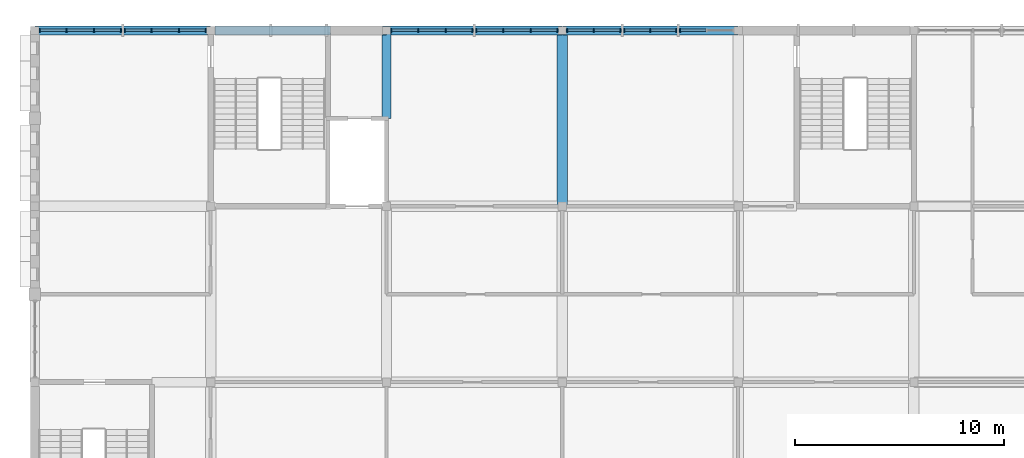
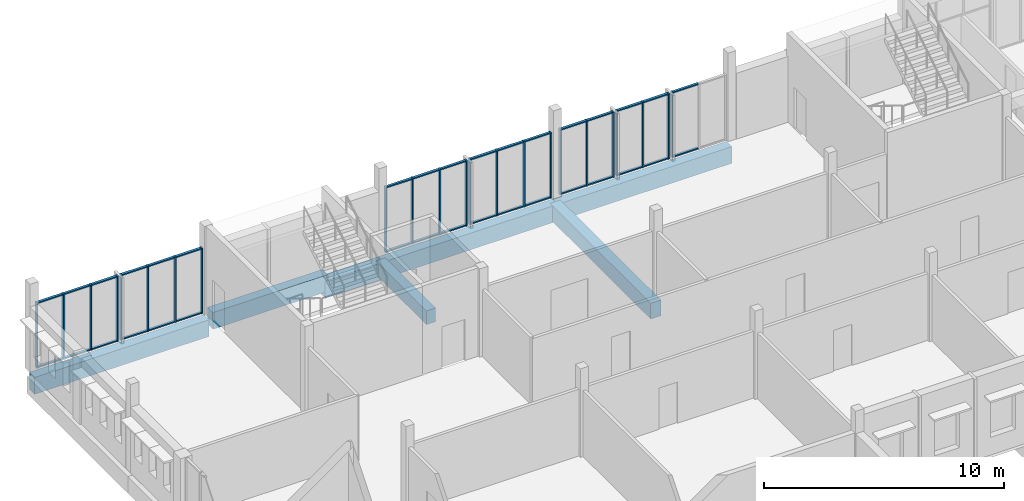
# One storey, part 10 of 22: 57 members, 7 beams, 7 elements without a shape of their own.
"""IFC4 building model written with IfcOpenShell, lengths in metres."""

import ifcopenshell
import ifcopenshell.guid

model = None  # the IFC model being written
_history = None  # IfcOwnerHistory: only IFC2X3 demands one
_inside = {}  # id of a spatial element -> (the spatial element, [elements in it])
_under = {}  # id of a project, library or spatial element -> (it, [spatial elements below it])
_declared = {}  # id of a project -> (the project, [libraries it declares])
_typed = {}  # id of a type object -> (the type object, [elements of that type])
_made_of = {}  # id of a material, layer set ... -> (it, [elements and type objects made of it])


def new_model(schema):
    """Start an empty IFC model of exactly this schema.

    Asked for "IFC4X3", IfcOpenShell would pick the latest addendum, in which some entities
    have other attributes; the version numbers below select the first issue.
    IFC2X3 requires an IfcOwnerHistory on every rooted entity: one is made here for all.
    """
    global model, _history
    if schema == "IFC4X3":
        model = ifcopenshell.file(schema_version=(4, 3, 0, 0))
    else:
        model = ifcopenshell.file(schema=schema)
    _inside.clear()
    _under.clear()
    _declared.clear()
    _typed.clear()
    _made_of.clear()
    _history = None
    if model.schema == "IFC2X3":
        org = make("IfcOrganization", Name="unknown")
        user = make(
            "IfcPersonAndOrganization",
            ThePerson=make("IfcPerson", FamilyName="unknown"),
            TheOrganization=org,
        )
        app = make(
            "IfcApplication",
            ApplicationDeveloper=org,
            Version="unknown",
            ApplicationFullName="unknown",
            ApplicationIdentifier="unknown",
        )
        _history = make(
            "IfcOwnerHistory",
            OwningUser=user,
            OwningApplication=app,
            ChangeAction="ADDED",
            CreationDate=0,
        )
    return model


def make(cls, **values):
    """One entity of the class cls with the attributes given. An attribute that is None is left unset."""
    return model.create_entity(
        cls, **{name: value for name, value in values.items() if value is not None}
    )


def rooted(cls, **values):
    """An entity with a GlobalId (a new one), such as an element, a storey or a relation."""
    return make(cls, GlobalId=ifcopenshell.guid.new(), OwnerHistory=_history, **values)


def si_unit(unit_type, name, prefix=None):
    """IfcSIUnit, for example si_unit("LENGTHUNIT", "METRE", prefix="MILLI")."""
    return make("IfcSIUnit", UnitType=unit_type, Prefix=prefix, Name=name)


def assignment(units):
    """IfcUnitAssignment: the units of a project."""
    return None if units is None else make("IfcUnitAssignment", Units=units)


def point(xyz):
    """IfcCartesianPoint."""
    return None if xyz is None else make("IfcCartesianPoint", Coordinates=xyz)


def direction(xyz):
    """IfcDirection."""
    return None if xyz is None else make("IfcDirection", DirectionRatios=xyz)


def frame(location, z_axis=None, x_axis=None):
    """IfcAxis2Placement3D, a coordinate frame: its origin and axes. An axis left out is left unset."""
    return make(
        "IfcAxis2Placement3D",
        Location=point(location),
        Axis=direction(z_axis),
        RefDirection=direction(x_axis),
    )


def frame_2d(location, x_axis=None):
    """IfcAxis2Placement2D, a coordinate frame in the plane: its origin and x axis."""
    return make(
        "IfcAxis2Placement2D", Location=point(location), RefDirection=direction(x_axis)
    )


def origin():
    """The frame at (0, 0, 0) with its axes left unset."""
    return frame((0.0, 0.0, 0.0))


def origin_2d():
    """The frame at (0, 0) in the plane with its x axis left unset."""
    return frame_2d((0.0, 0.0))


def place(relative_to, where):
    """IfcLocalPlacement: puts the frame where relative to a parent placement (None: the world)."""
    return make(
        "IfcLocalPlacement", PlacementRelTo=relative_to, RelativePlacement=where
    )


def context(
    kind, dimensions, precision=None, world=None, true_north=None, identifier=None
):
    """IfcGeometricRepresentationContext, for example the 3D "Model" context."""
    return make(
        "IfcGeometricRepresentationContext",
        ContextIdentifier=identifier,
        ContextType=kind,
        CoordinateSpaceDimension=dimensions,
        Precision=precision,
        WorldCoordinateSystem=world,
        TrueNorth=true_north,
    )


def subcontext(parent, identifier, kind, view, scale=None):
    """IfcGeometricRepresentationSubContext, for example "Body" below "Model"."""
    return make(
        "IfcGeometricRepresentationSubContext",
        ContextIdentifier=identifier,
        ContextType=kind,
        ParentContext=parent,
        TargetScale=scale,
        TargetView=view,
    )


def project(units=None, contexts=None):
    """IfcProject with its units and contexts."""
    return rooted(
        "IfcProject",
        Name="project",
        RepresentationContexts=contexts,
        UnitsInContext=assignment(units),
    )


def spatial(cls, under=None, at=None, **own):
    """A site, building, storey or space (cls), placed at a placement, below another one or the project."""
    s = rooted(cls, ObjectPlacement=at, **own)
    if under is not None:
        _under.setdefault(under.id(), (under, []))[1].append(s)
    return s


def profile(cls, at=None, kind="AREA", **sizes):
    """A parametric profile (cls). Its sizes go by their IFC names, for example OverallWidth=200.0."""
    return make(cls, ProfileType=kind, Position=at, **sizes)


def rectangle(**sizes):
    """IfcRectangleProfileDef."""
    return profile("IfcRectangleProfileDef", **sizes)


def extrude(swept, where, along, depth):
    """IfcExtrudedAreaSolid: the profile swept, set in the frame where, extruded along a direction by depth."""
    return make(
        "IfcExtrudedAreaSolid",
        SweptArea=swept,
        Position=where,
        ExtrudedDirection=direction(along),
        Depth=depth,
    )


def shape(context_of_items, identifier, shape_type, items):
    """IfcShapeRepresentation: the items that make up one representation, for example the "Body"."""
    return make(
        "IfcShapeRepresentation",
        ContextOfItems=context_of_items,
        RepresentationIdentifier=identifier,
        RepresentationType=shape_type,
        Items=items,
    )


def material(Name=None, Category=None):
    """IfcMaterial."""
    return make("IfcMaterial", Name=Name, Category=Category)


def material_profile(
    of_material, cross_section, Name=None, Category=None, Priority=None
):
    """IfcMaterialProfile: a cross section and its material."""
    return make(
        "IfcMaterialProfile",
        Name=Name,
        Material=of_material,
        Profile=cross_section,
        Priority=Priority,
        Category=Category,
    )


def profile_set(profiles, Name=None, composite=None):
    """IfcMaterialProfileSet."""
    return make(
        "IfcMaterialProfileSet",
        Name=Name,
        MaterialProfiles=profiles,
        CompositeProfile=composite,
    )


def made_of(thing, what):
    """Note that an element or type object is made of a material, layer set ...; save() writes the relation."""
    if what is not None:
        _made_of.setdefault(what.id(), (what, []))[1].append(thing)
    return thing


def type_object(cls, material=None, **own):
    """A type object (cls), such as IfcWallType, which elements share."""
    return made_of(rooted(cls, **own), material)


def element(
    cls,
    number,
    at=None,
    inside=None,
    cuts=None,
    type_object=None,
    material=None,
    context=None,
    identifier="Body",
    shape_type=None,
    held_by="IfcProductDefinitionShape",
    body=None,
    shapes=None,
    **own,
):
    """One element of the class cls, such as IfcWall. Its Tag is "e" and its number.

    at: its placement. inside: the storey or other place that contains it. cuts: it is an
    opening in that element (IfcRelVoidsElement). A single representation is given by context,
    identifier, shape_type and body (its items); several are given by shapes. held_by: the class
    of the entity that holds the representations. save() writes the other relations.
    """
    e = rooted(cls, Tag="e%d" % number, ObjectPlacement=at, **own)
    if body is not None:
        shapes = [shape(context, identifier, shape_type, body)]
    if shapes is not None:
        e.Representation = make(held_by, Representations=shapes)
    if inside is not None:
        _inside.setdefault(inside.id(), (inside, []))[1].append(e)
    if cuts is not None:
        rooted(
            "IfcRelVoidsElement", RelatingBuildingElement=cuts, RelatedOpeningElement=e
        )
    if type_object is not None:
        _typed.setdefault(type_object.id(), (type_object, []))[1].append(e)
    return made_of(e, material)


def aggregate(whole, parts):
    """IfcRelAggregates: a whole, such as a stair, and the parts it consists of."""
    return rooted("IfcRelAggregates", RelatingObject=whole, RelatedObjects=parts)


def save(model, path):
    """Write the relations noted so far, then the file.

    IfcRelAggregates (storeys below a building ...), IfcRelContainedInSpatialStructure (elements
    in a storey), IfcRelDefinesByType, IfcRelAssociatesMaterial and IfcRelDeclares: one each for
    every whole, place, type object, material and project.
    """
    for whole, parts in _under.values():
        aggregate(whole, parts)
    for where, things in _inside.values():
        rooted(
            "IfcRelContainedInSpatialStructure",
            RelatedElements=things,
            RelatingStructure=where,
        )
    for kind, things in _typed.values():
        rooted("IfcRelDefinesByType", RelatedObjects=things, RelatingType=kind)
    for what, things in _made_of.values():
        rooted("IfcRelAssociatesMaterial", RelatedObjects=things, RelatingMaterial=what)
    for by, libraries in _declared.values():
        rooted("IfcRelDeclares", RelatingContext=by, RelatedDefinitions=libraries)
    model.write(path)


model = new_model("IFC4")

# Units and contexts
model_context = context("Model", 3, precision=1e-05, world=origin(), true_north=direction((0.0, 1.0)))
body_context = subcontext(model_context, "Body", "Model", "MODEL_VIEW")
ifc_project = project(units=[si_unit("LENGTHUNIT", "METRE"), si_unit("AREAUNIT", "SQUARE_METRE"), si_unit("VOLUMEUNIT", "CUBIC_METRE"), si_unit("PLANEANGLEUNIT", "RADIAN"), si_unit("MASSUNIT", "GRAM", prefix="KILO")], contexts=[model_context])

# Site, building, storey
site_placement = place(None, origin())
site = spatial("IfcSite", under=ifc_project, at=site_placement, CompositionType="ELEMENT")
building_placement = place(site_placement, origin())
building = spatial("IfcBuilding", under=site, at=building_placement, Name="Fescue Hill Polytechnic", CompositionType="ELEMENT")
storey_placement = place(building_placement, frame((0.0, 0.0, 27.0)))
storey = spatial("IfcBuildingStorey", under=building, at=storey_placement, Name="L06", CompositionType="ELEMENT", Elevation=27.0)

# Beams
ifc_material_1 = material(Name="Concrete 35 MPa", Category="concrete")
ifc_material_profile_1 = material_profile(ifc_material_1, rectangle(XDim=0.449951171875, YDim=0.699951171875, at=origin_2d()), Name="RC 450x700")
ifc_profile_set_1 = profile_set([ifc_material_profile_1], Name="Concrete 35 MPa")
beam_type_1 = type_object("IfcBeamType", Name="Beam RC 450x700", PredefinedType="BEAM", material=ifc_profile_set_1)
beam_1_placement = place(storey_placement, frame((16.800048828125, 130.199951171875, -0.64990234375), z_axis=(0.0, 1.0, 0.0), x_axis=(-1.0, 0.0, 0.0)))
element("IfcBeam", 1, at=beam_1_placement, inside=storey, type_object=beam_type_1, Name="BM-L06-0042", PredefinedType="BEAM", context=body_context, shape_type="SweptSolid", body=[
    extrude(rectangle(XDim=0.449951171875, YDim=0.699951171875, at=origin_2d()), origin(), (0.0, 0.0, 1.0), 4.199951171875),
])
ifc_material_profile_2 = material_profile(ifc_material_1, rectangle(XDim=0.449951171875, YDim=0.85009765625, at=origin_2d()), Name="RC 450x850")
ifc_profile_set_2 = profile_set([ifc_material_profile_2], Name="Concrete 35 MPa")
beam_type_2 = type_object("IfcBeamType", Name="Beam RC 450x850", PredefinedType="BEAM", material=ifc_profile_set_2)
beam_2_placement = place(storey_placement, frame((0.010009765625, 134.39990234375, -0.72509765625), z_axis=(1.0, 0.0, 0.0), x_axis=(0.0, 1.0, 0.0)))
element("IfcBeam", 2, at=beam_2_placement, inside=storey, type_object=beam_type_2, Name="BM-L06-0013", PredefinedType="BEAM", context=body_context, shape_type="SweptSolid", body=[
    extrude(rectangle(XDim=0.449951171875, YDim=0.85009765625, at=origin_2d()), origin(), (0.0, 0.0, 1.0), 8.389892578125),
])
beam_3_placement = place(storey_placement, frame((14.0, 134.39990234375, -0.72509765625), z_axis=(1.0, 0.0, 0.0), x_axis=(0.0, 1.0, 0.0)))
element("IfcBeam", 3, at=beam_3_placement, inside=storey, type_object=beam_type_2, Name="BM-L06-0031", PredefinedType="BEAM", context=body_context, shape_type="SweptSolid", body=[
    extrude(rectangle(XDim=0.449951171875, YDim=0.85009765625, at=origin_2d()), origin(), (0.0, 0.0, 1.0), 2.7900390625),
])
beam_4_placement = place(storey_placement, frame((16.81005859375, 134.39990234375, -0.72509765625), z_axis=(1.0, 0.0, 0.0), x_axis=(0.0, 1.0, 0.0)))
element("IfcBeam", 4, at=beam_4_placement, inside=storey, type_object=beam_type_2, Name="BM-L06-0050", PredefinedType="BEAM", context=body_context, shape_type="SweptSolid", body=[
    extrude(rectangle(XDim=0.449951171875, YDim=0.85009765625, at=origin_2d()), origin(), (0.0, 0.0, 1.0), 8.3798828125),
])
beam_5_placement = place(storey_placement, frame((25.2099609375, 134.39990234375, -0.72509765625), z_axis=(1.0, 0.0, 0.0), x_axis=(0.0, 1.0, 0.0)))
element("IfcBeam", 5, at=beam_5_placement, inside=storey, type_object=beam_type_2, Name="BM-L06-0060", PredefinedType="BEAM", context=body_context, shape_type="SweptSolid", body=[
    extrude(rectangle(XDim=0.449951171875, YDim=0.85009765625, at=origin_2d()), origin(), (0.0, 0.0, 1.0), 8.380126953125),
])
beam_6_placement = place(storey_placement, frame((8.60009765625, 134.39990234375, -0.425048828125), z_axis=(1.0, 0.0, 0.0), x_axis=(0.0, 1.0, 0.0)))
element("IfcBeam", 6, at=beam_6_placement, inside=storey, type_object=beam_type_2, Name="BM-L06-0080", PredefinedType="BEAM", context=body_context, shape_type="SweptSolid", body=[
    extrude(rectangle(XDim=0.449951171875, YDim=0.85009765625, at=origin_2d()), origin(), (0.0, 0.0, 1.0), 5.52490234375),
])
ifc_material_profile_3 = material_profile(ifc_material_1, rectangle(XDim=0.5, YDim=0.800048828125, at=origin_2d()), Name="RC 500x800")
ifc_profile_set_3 = profile_set([ifc_material_profile_3], Name="Concrete 35 MPa")
beam_type_3 = type_object("IfcBeamType", Name="Beam RC 500x800", PredefinedType="BEAM", material=ifc_profile_set_3)
beam_7_placement = place(storey_placement, frame((25.199951171875, 126.0, -0.699951171875), z_axis=(0.0, 1.0, 0.0), x_axis=(-1.0, 0.0, 0.0)))
element("IfcBeam", 7, at=beam_7_placement, inside=storey, type_object=beam_type_3, Name="BM-L06-0058", PredefinedType="BEAM", context=body_context, shape_type="SweptSolid", body=[
    extrude(rectangle(XDim=0.5, YDim=0.800048828125, at=origin_2d()), origin(), (0.0, 0.0, 1.0), 8.39990234375),
])

# Curtain wall, member
ifc_material_2 = material(Name="Glass", Category="glass")
curtain_wall_type = type_object("IfcCurtainWallType", Name="Curtain wall structural glazing", PredefinedType="NOTDEFINED", material=ifc_material_2)
curtain_wall_1_placement = place(storey_placement, origin())
curtain_wall_1 = element("IfcCurtainWall", 8, at=curtain_wall_1_placement, inside=storey, type_object=curtain_wall_type, Name="CW-L06-V5-2", PredefinedType="NOTDEFINED")
ifc_material_3 = material(Name="Powder-coated aluminium", Category="aluminium")
ifc_material_profile_4 = material_profile(ifc_material_3, rectangle(XDim=0.159912109375, YDim=0.06005859375, at=origin_2d()), Name="Mullion aluminium 60x160")
ifc_profile_set_4 = profile_set([ifc_material_profile_4], Name="Powder-coated aluminium")
member_type_1 = type_object("IfcMemberType", Name="Mullion aluminium 60x160", PredefinedType="MULLION", material=ifc_profile_set_4)
member_1_placement = place(storey_placement, frame((30.8232421875, 134.39990234375, 0.0), z_axis=(0.0, 0.0, 1.0), x_axis=(0.0, -1.0, 0.0)))
member_1 = element("IfcMember", 9, at=member_1_placement, type_object=member_type_1, Name="CW100 mullion 3", PredefinedType="MULLION", context=body_context, shape_type="SweptSolid", body=[
    extrude(rectangle(XDim=0.159912109375, YDim=0.06005859375, at=origin_2d()), origin(), (0.0, 0.0, 1.0), 3.330078125),
])

# Curtain wall, members
curtain_wall_2_placement = place(storey_placement, origin())
curtain_wall_2 = element("IfcCurtainWall", 10, at=curtain_wall_2_placement, inside=storey, type_object=curtain_wall_type, Name="CW-L06-V5-3", PredefinedType="NOTDEFINED")
member_2_placement = place(storey_placement, frame((30.643310546875, 134.39990234375, 0.0), z_axis=(0.0, 0.0, 1.0), x_axis=(0.0, -1.0, 0.0)))
member_2 = element("IfcMember", 11, at=member_2_placement, type_object=member_type_1, Name="CW101 mullion 1", PredefinedType="MULLION", context=body_context, shape_type="SweptSolid", body=[
    extrude(rectangle(XDim=0.159912109375, YDim=0.06005859375, at=origin_2d()), origin(), (0.0, 0.0, 1.0), 3.330078125),
])
member_3_placement = place(storey_placement, frame((29.39990234375, 134.39990234375, 0.0), z_axis=(0.0, 0.0, 1.0), x_axis=(0.0, -1.0, 0.0)))
member_3 = element("IfcMember", 12, at=member_3_placement, type_object=member_type_1, Name="CW101 mullion 2", PredefinedType="MULLION", context=body_context, shape_type="SweptSolid", body=[
    extrude(rectangle(XDim=0.159912109375, YDim=0.06005859375, at=origin_2d()), origin(), (0.0, 0.0, 1.0), 3.330078125),
])
member_4_placement = place(storey_placement, frame((28.15673828125, 134.39990234375, 0.0), z_axis=(0.0, 0.0, 1.0), x_axis=(0.0, -1.0, 0.0)))
member_4 = element("IfcMember", 13, at=member_4_placement, type_object=member_type_1, Name="CW101 mullion 3", PredefinedType="MULLION", context=body_context, shape_type="SweptSolid", body=[
    extrude(rectangle(XDim=0.159912109375, YDim=0.06005859375, at=origin_2d()), origin(), (0.0, 0.0, 1.0), 3.330078125),
])

curtain_wall_3_placement = place(storey_placement, origin())
curtain_wall_3 = element("IfcCurtainWall", 14, at=curtain_wall_3_placement, inside=storey, type_object=curtain_wall_type, Name="CW-L06-V5-4", PredefinedType="NOTDEFINED")
member_5_placement = place(storey_placement, frame((27.976806640625, 134.39990234375, 0.0), z_axis=(0.0, 0.0, 1.0), x_axis=(0.0, -1.0, 0.0)))
member_5 = element("IfcMember", 15, at=member_5_placement, type_object=member_type_1, Name="CW102 mullion 1", PredefinedType="MULLION", context=body_context, shape_type="SweptSolid", body=[
    extrude(rectangle(XDim=0.159912109375, YDim=0.06005859375, at=origin_2d()), origin(), (0.0, 0.0, 1.0), 3.330078125),
])
member_6_placement = place(storey_placement, frame((26.703369140625, 134.39990234375, 0.0), z_axis=(0.0, 0.0, 1.0), x_axis=(0.0, -1.0, 0.0)))
member_6 = element("IfcMember", 16, at=member_6_placement, type_object=member_type_1, Name="CW102 mullion 2", PredefinedType="MULLION", context=body_context, shape_type="SweptSolid", body=[
    extrude(rectangle(XDim=0.159912109375, YDim=0.06005859375, at=origin_2d()), origin(), (0.0, 0.0, 1.0), 3.330078125),
])
member_7_placement = place(storey_placement, frame((25.429931640625, 134.39990234375, 0.0), z_axis=(0.0, 0.0, 1.0), x_axis=(0.0, -1.0, 0.0)))
member_7 = element("IfcMember", 17, at=member_7_placement, type_object=member_type_1, Name="CW102 mullion 3", PredefinedType="MULLION", context=body_context, shape_type="SweptSolid", body=[
    extrude(rectangle(XDim=0.159912109375, YDim=0.06005859375, at=origin_2d()), origin(), (0.0, 0.0, 1.0), 3.330078125),
])

curtain_wall_4_placement = place(storey_placement, origin())
curtain_wall_4 = element("IfcCurtainWall", 18, at=curtain_wall_4_placement, inside=storey, type_object=curtain_wall_type, Name="CW-L06-V5-5", PredefinedType="NOTDEFINED")
member_8_placement = place(storey_placement, frame((24.969970703125, 134.39990234375, 0.0), z_axis=(0.0, 0.0, 1.0), x_axis=(0.0, -1.0, 0.0)))
member_8 = element("IfcMember", 19, at=member_8_placement, type_object=member_type_1, Name="CW103 mullion 1", PredefinedType="MULLION", context=body_context, shape_type="SweptSolid", body=[
    extrude(rectangle(XDim=0.159912109375, YDim=0.06005859375, at=origin_2d()), origin(), (0.0, 0.0, 1.0), 3.330078125),
])
member_9_placement = place(storey_placement, frame((23.686767578125, 134.39990234375, 0.0), z_axis=(0.0, 0.0, 1.0), x_axis=(0.0, -1.0, 0.0)))
member_9 = element("IfcMember", 20, at=member_9_placement, type_object=member_type_1, Name="CW103 mullion 2", PredefinedType="MULLION", context=body_context, shape_type="SweptSolid", body=[
    extrude(rectangle(XDim=0.159912109375, YDim=0.06005859375, at=origin_2d()), origin(), (0.0, 0.0, 1.0), 3.330078125),
])
member_10_placement = place(storey_placement, frame((22.373291015625, 134.39990234375, 0.0), z_axis=(0.0, 0.0, 1.0), x_axis=(0.0, -1.0, 0.0)))
member_10 = element("IfcMember", 21, at=member_10_placement, type_object=member_type_1, Name="CW103 mullion 3", PredefinedType="MULLION", context=body_context, shape_type="SweptSolid", body=[
    extrude(rectangle(XDim=0.159912109375, YDim=0.06005859375, at=origin_2d()), origin(), (0.0, 0.0, 1.0), 3.330078125),
])
member_11_placement = place(storey_placement, frame((21.090087890625, 134.39990234375, 0.0), z_axis=(0.0, 0.0, 1.0), x_axis=(0.0, -1.0, 0.0)))
member_11 = element("IfcMember", 22, at=member_11_placement, type_object=member_type_1, Name="CW103 mullion 4", PredefinedType="MULLION", context=body_context, shape_type="SweptSolid", body=[
    extrude(rectangle(XDim=0.159912109375, YDim=0.06005859375, at=origin_2d()), origin(), (0.0, 0.0, 1.0), 3.330078125),
])

curtain_wall_5_placement = place(storey_placement, origin())
curtain_wall_5 = element("IfcCurtainWall", 23, at=curtain_wall_5_placement, inside=storey, type_object=curtain_wall_type, Name="CW-L06-V5-6", PredefinedType="NOTDEFINED")
member_12_placement = place(storey_placement, frame((20.909912109375, 134.39990234375, 0.0), z_axis=(0.0, 0.0, 1.0), x_axis=(0.0, -1.0, 0.0)))
member_12 = element("IfcMember", 24, at=member_12_placement, type_object=member_type_1, Name="CW104 mullion 1", PredefinedType="MULLION", context=body_context, shape_type="SweptSolid", body=[
    extrude(rectangle(XDim=0.159912109375, YDim=0.06005859375, at=origin_2d()), origin(), (0.0, 0.0, 1.0), 3.330078125),
])
member_13_placement = place(storey_placement, frame((19.626708984375, 134.39990234375, 0.0), z_axis=(0.0, 0.0, 1.0), x_axis=(0.0, -1.0, 0.0)))
member_13 = element("IfcMember", 25, at=member_13_placement, type_object=member_type_1, Name="CW104 mullion 2", PredefinedType="MULLION", context=body_context, shape_type="SweptSolid", body=[
    extrude(rectangle(XDim=0.159912109375, YDim=0.06005859375, at=origin_2d()), origin(), (0.0, 0.0, 1.0), 3.330078125),
])
member_14_placement = place(storey_placement, frame((18.313232421875, 134.39990234375, 0.0), z_axis=(0.0, 0.0, 1.0), x_axis=(0.0, -1.0, 0.0)))
member_14 = element("IfcMember", 26, at=member_14_placement, type_object=member_type_1, Name="CW104 mullion 3", PredefinedType="MULLION", context=body_context, shape_type="SweptSolid", body=[
    extrude(rectangle(XDim=0.159912109375, YDim=0.06005859375, at=origin_2d()), origin(), (0.0, 0.0, 1.0), 3.330078125),
])
member_15_placement = place(storey_placement, frame((17.030029296875, 134.39990234375, 0.0), z_axis=(0.0, 0.0, 1.0), x_axis=(0.0, -1.0, 0.0)))
member_15 = element("IfcMember", 27, at=member_15_placement, type_object=member_type_1, Name="CW104 mullion 4", PredefinedType="MULLION", context=body_context, shape_type="SweptSolid", body=[
    extrude(rectangle(XDim=0.159912109375, YDim=0.06005859375, at=origin_2d()), origin(), (0.0, 0.0, 1.0), 3.330078125),
])

curtain_wall_6_placement = place(storey_placement, origin())
curtain_wall_6 = element("IfcCurtainWall", 28, at=curtain_wall_6_placement, inside=storey, type_object=curtain_wall_type, Name="CW-L06-V5-7", PredefinedType="NOTDEFINED")
member_16_placement = place(storey_placement, frame((4.110107421875, 134.39990234375, 0.0), z_axis=(0.0, 0.0, 1.0), x_axis=(0.0, -1.0, 0.0)))
member_16 = element("IfcMember", 29, at=member_16_placement, type_object=member_type_1, Name="CW105 mullion 1", PredefinedType="MULLION", context=body_context, shape_type="SweptSolid", body=[
    extrude(rectangle(XDim=0.159912109375, YDim=0.06005859375, at=origin_2d()), origin(), (0.0, 0.0, 1.0), 3.330078125),
])
member_17_placement = place(storey_placement, frame((2.82666015625, 134.39990234375, 0.0), z_axis=(0.0, 0.0, 1.0), x_axis=(0.0, -1.0, 0.0)))
member_17 = element("IfcMember", 30, at=member_17_placement, type_object=member_type_1, Name="CW105 mullion 2", PredefinedType="MULLION", context=body_context, shape_type="SweptSolid", body=[
    extrude(rectangle(XDim=0.159912109375, YDim=0.06005859375, at=origin_2d()), origin(), (0.0, 0.0, 1.0), 3.330078125),
])
member_18_placement = place(storey_placement, frame((1.513427734375, 134.39990234375, 0.0), z_axis=(0.0, 0.0, 1.0), x_axis=(0.0, -1.0, 0.0)))
member_18 = element("IfcMember", 31, at=member_18_placement, type_object=member_type_1, Name="CW105 mullion 3", PredefinedType="MULLION", context=body_context, shape_type="SweptSolid", body=[
    extrude(rectangle(XDim=0.159912109375, YDim=0.06005859375, at=origin_2d()), origin(), (0.0, 0.0, 1.0), 3.330078125),
])
member_19_placement = place(storey_placement, frame((0.22998046875, 134.39990234375, 0.0), z_axis=(0.0, 0.0, 1.0), x_axis=(0.0, -1.0, 0.0)))
member_19 = element("IfcMember", 32, at=member_19_placement, type_object=member_type_1, Name="CW105 mullion 4", PredefinedType="MULLION", context=body_context, shape_type="SweptSolid", body=[
    extrude(rectangle(XDim=0.159912109375, YDim=0.06005859375, at=origin_2d()), origin(), (0.0, 0.0, 1.0), 3.330078125),
])

curtain_wall_7_placement = place(storey_placement, origin())
curtain_wall_7 = element("IfcCurtainWall", 33, at=curtain_wall_7_placement, inside=storey, type_object=curtain_wall_type, Name="CW-L06-V5-X3", PredefinedType="NOTDEFINED")
member_20_placement = place(storey_placement, frame((8.169921875, 134.39990234375, 0.0), z_axis=(0.0, 0.0, 1.0), x_axis=(0.0, -1.0, 0.0)))
member_20 = element("IfcMember", 34, at=member_20_placement, type_object=member_type_1, Name="CW161 mullion 1", PredefinedType="MULLION", context=body_context, shape_type="SweptSolid", body=[
    extrude(rectangle(XDim=0.159912109375, YDim=0.06005859375, at=origin_2d()), origin(), (0.0, 0.0, 1.0), 3.330078125),
])
member_21_placement = place(storey_placement, frame((6.88671875, 134.39990234375, 0.0), z_axis=(0.0, 0.0, 1.0), x_axis=(0.0, -1.0, 0.0)))
member_21 = element("IfcMember", 35, at=member_21_placement, type_object=member_type_1, Name="CW161 mullion 2", PredefinedType="MULLION", context=body_context, shape_type="SweptSolid", body=[
    extrude(rectangle(XDim=0.159912109375, YDim=0.06005859375, at=origin_2d()), origin(), (0.0, 0.0, 1.0), 3.330078125),
])
member_22_placement = place(storey_placement, frame((5.5732421875, 134.39990234375, 0.0), z_axis=(0.0, 0.0, 1.0), x_axis=(0.0, -1.0, 0.0)))
member_22 = element("IfcMember", 36, at=member_22_placement, type_object=member_type_1, Name="CW161 mullion 3", PredefinedType="MULLION", context=body_context, shape_type="SweptSolid", body=[
    extrude(rectangle(XDim=0.159912109375, YDim=0.06005859375, at=origin_2d()), origin(), (0.0, 0.0, 1.0), 3.330078125),
])
member_23_placement = place(storey_placement, frame((4.2900390625, 134.39990234375, 0.0), z_axis=(0.0, 0.0, 1.0), x_axis=(0.0, -1.0, 0.0)))
member_23 = element("IfcMember", 37, at=member_23_placement, type_object=member_type_1, Name="CW161 mullion 4", PredefinedType="MULLION", context=body_context, shape_type="SweptSolid", body=[
    extrude(rectangle(XDim=0.159912109375, YDim=0.06005859375, at=origin_2d()), origin(), (0.0, 0.0, 1.0), 3.330078125),
])

# Member
ifc_material_profile_5 = material_profile(ifc_material_3, rectangle(XDim=0.1201171875, YDim=0.06005859375, at=origin_2d()), Name="Transom aluminium 60x120")
ifc_profile_set_5 = profile_set([ifc_material_profile_5], Name="Powder-coated aluminium")
member_type_2 = type_object("IfcMemberType", Name="Transom aluminium 60x120", PredefinedType="USERDEFINED", material=ifc_profile_set_5)
member_24_placement = place(storey_placement, frame((32.066650390625, 134.39990234375, 0.030029296875), z_axis=(-1.0, 0.0, 0.0), x_axis=(0.0, -1.0, 0.0)))
member_24 = element("IfcMember", 38, at=member_24_placement, type_object=member_type_2, Name="CW100 transom 2.1", ObjectType="TRANSOM", PredefinedType="USERDEFINED", context=body_context, shape_type="SweptSolid", body=[
    extrude(rectangle(XDim=0.1201171875, YDim=0.06005859375, at=origin_2d()), origin(), (0.0, 0.0, 1.0), 1.21337890625),
])

member_25_placement = place(storey_placement, frame((32.066650390625, 134.39990234375, 3.300048828125), z_axis=(-1.0, 0.0, 0.0), x_axis=(0.0, -1.0, 0.0)))
member_25 = element("IfcMember", 39, at=member_25_placement, type_object=member_type_2, Name="CW100 transom 2.2", ObjectType="TRANSOM", PredefinedType="USERDEFINED", context=body_context, shape_type="SweptSolid", body=[
    extrude(rectangle(XDim=0.1201171875, YDim=0.06005859375, at=origin_2d()), origin(), (0.0, 0.0, 1.0), 1.21337890625),
])

aggregate(curtain_wall_1, [member_1, member_24, member_25])

member_26_placement = place(storey_placement, frame((30.61328125, 134.39990234375, 0.030029296875), z_axis=(-1.0, 0.0, 0.0), x_axis=(0.0, -1.0, 0.0)))
member_26 = element("IfcMember", 40, at=member_26_placement, type_object=member_type_2, Name="CW101 transom 1.1", ObjectType="TRANSOM", PredefinedType="USERDEFINED", context=body_context, shape_type="SweptSolid", body=[
    extrude(rectangle(XDim=0.1201171875, YDim=0.06005859375, at=origin_2d()), origin(), (0.0, 0.0, 1.0), 1.183349609375),
])

member_27_placement = place(storey_placement, frame((30.61328125, 134.39990234375, 3.300048828125), z_axis=(-1.0, 0.0, 0.0), x_axis=(0.0, -1.0, 0.0)))
member_27 = element("IfcMember", 41, at=member_27_placement, type_object=member_type_2, Name="CW101 transom 1.2", ObjectType="TRANSOM", PredefinedType="USERDEFINED", context=body_context, shape_type="SweptSolid", body=[
    extrude(rectangle(XDim=0.1201171875, YDim=0.06005859375, at=origin_2d()), origin(), (0.0, 0.0, 1.0), 1.183349609375),
])

member_28_placement = place(storey_placement, frame((29.3701171875, 134.39990234375, 0.030029296875), z_axis=(-1.0, 0.0, 0.0), x_axis=(0.0, -1.0, 0.0)))
member_28 = element("IfcMember", 42, at=member_28_placement, type_object=member_type_2, Name="CW101 transom 2.1", ObjectType="TRANSOM", PredefinedType="USERDEFINED", context=body_context, shape_type="SweptSolid", body=[
    extrude(rectangle(XDim=0.1201171875, YDim=0.06005859375, at=origin_2d()), origin(), (0.0, 0.0, 1.0), 1.183349609375),
])

member_29_placement = place(storey_placement, frame((29.3701171875, 134.39990234375, 3.300048828125), z_axis=(-1.0, 0.0, 0.0), x_axis=(0.0, -1.0, 0.0)))
member_29 = element("IfcMember", 43, at=member_29_placement, type_object=member_type_2, Name="CW101 transom 2.2", ObjectType="TRANSOM", PredefinedType="USERDEFINED", context=body_context, shape_type="SweptSolid", body=[
    extrude(rectangle(XDim=0.1201171875, YDim=0.06005859375, at=origin_2d()), origin(), (0.0, 0.0, 1.0), 1.183349609375),
])

aggregate(curtain_wall_2, [member_2, member_3, member_4, member_26, member_27, member_28, member_29])

member_30_placement = place(storey_placement, frame((27.94677734375, 134.39990234375, 0.030029296875), z_axis=(-1.0, 0.0, 0.0), x_axis=(0.0, -1.0, 0.0)))
member_30 = element("IfcMember", 44, at=member_30_placement, type_object=member_type_2, Name="CW102 transom 1.1", ObjectType="TRANSOM", PredefinedType="USERDEFINED", context=body_context, shape_type="SweptSolid", body=[
    extrude(rectangle(XDim=0.1201171875, YDim=0.06005859375, at=origin_2d()), origin(), (0.0, 0.0, 1.0), 1.21337890625),
])

member_31_placement = place(storey_placement, frame((27.94677734375, 134.39990234375, 3.300048828125), z_axis=(-1.0, 0.0, 0.0), x_axis=(0.0, -1.0, 0.0)))
member_31 = element("IfcMember", 45, at=member_31_placement, type_object=member_type_2, Name="CW102 transom 1.2", ObjectType="TRANSOM", PredefinedType="USERDEFINED", context=body_context, shape_type="SweptSolid", body=[
    extrude(rectangle(XDim=0.1201171875, YDim=0.06005859375, at=origin_2d()), origin(), (0.0, 0.0, 1.0), 1.21337890625),
])

member_32_placement = place(storey_placement, frame((26.67333984375, 134.39990234375, 0.030029296875), z_axis=(-1.0, 0.0, 0.0), x_axis=(0.0, -1.0, 0.0)))
member_32 = element("IfcMember", 46, at=member_32_placement, type_object=member_type_2, Name="CW102 transom 2.1", ObjectType="TRANSOM", PredefinedType="USERDEFINED", context=body_context, shape_type="SweptSolid", body=[
    extrude(rectangle(XDim=0.1201171875, YDim=0.06005859375, at=origin_2d()), origin(), (0.0, 0.0, 1.0), 1.21337890625),
])

member_33_placement = place(storey_placement, frame((26.67333984375, 134.39990234375, 3.300048828125), z_axis=(-1.0, 0.0, 0.0), x_axis=(0.0, -1.0, 0.0)))
member_33 = element("IfcMember", 47, at=member_33_placement, type_object=member_type_2, Name="CW102 transom 2.2", ObjectType="TRANSOM", PredefinedType="USERDEFINED", context=body_context, shape_type="SweptSolid", body=[
    extrude(rectangle(XDim=0.1201171875, YDim=0.06005859375, at=origin_2d()), origin(), (0.0, 0.0, 1.0), 1.21337890625),
])

aggregate(curtain_wall_3, [member_5, member_6, member_7, member_30, member_31, member_32, member_33])

member_34_placement = place(storey_placement, frame((24.93994140625, 134.39990234375, 0.030029296875), z_axis=(-1.0, 0.0, 0.0), x_axis=(0.0, -1.0, 0.0)))
member_34 = element("IfcMember", 48, at=member_34_placement, type_object=member_type_2, Name="CW103 transom 1.1", ObjectType="TRANSOM", PredefinedType="USERDEFINED", context=body_context, shape_type="SweptSolid", body=[
    extrude(rectangle(XDim=0.1201171875, YDim=0.06005859375, at=origin_2d()), origin(), (0.0, 0.0, 1.0), 1.223388671875),
])

member_35_placement = place(storey_placement, frame((24.93994140625, 134.39990234375, 3.300048828125), z_axis=(-1.0, 0.0, 0.0), x_axis=(0.0, -1.0, 0.0)))
member_35 = element("IfcMember", 49, at=member_35_placement, type_object=member_type_2, Name="CW103 transom 1.2", ObjectType="TRANSOM", PredefinedType="USERDEFINED", context=body_context, shape_type="SweptSolid", body=[
    extrude(rectangle(XDim=0.1201171875, YDim=0.06005859375, at=origin_2d()), origin(), (0.0, 0.0, 1.0), 1.223388671875),
])

member_36_placement = place(storey_placement, frame((23.65673828125, 134.39990234375, 0.030029296875), z_axis=(-1.0, 0.0, 0.0), x_axis=(0.0, -1.0, 0.0)))
member_36 = element("IfcMember", 50, at=member_36_placement, type_object=member_type_2, Name="CW103 transom 2.1", ObjectType="TRANSOM", PredefinedType="USERDEFINED", context=body_context, shape_type="SweptSolid", body=[
    extrude(rectangle(XDim=0.1201171875, YDim=0.06005859375, at=origin_2d()), origin(), (0.0, 0.0, 1.0), 1.25341796875),
])

member_37_placement = place(storey_placement, frame((23.65673828125, 134.39990234375, 3.300048828125), z_axis=(-1.0, 0.0, 0.0), x_axis=(0.0, -1.0, 0.0)))
member_37 = element("IfcMember", 51, at=member_37_placement, type_object=member_type_2, Name="CW103 transom 2.2", ObjectType="TRANSOM", PredefinedType="USERDEFINED", context=body_context, shape_type="SweptSolid", body=[
    extrude(rectangle(XDim=0.1201171875, YDim=0.06005859375, at=origin_2d()), origin(), (0.0, 0.0, 1.0), 1.25341796875),
])

member_38_placement = place(storey_placement, frame((22.34326171875, 134.39990234375, 0.030029296875), z_axis=(-1.0, 0.0, 0.0), x_axis=(0.0, -1.0, 0.0)))
member_38 = element("IfcMember", 52, at=member_38_placement, type_object=member_type_2, Name="CW103 transom 3.1", ObjectType="TRANSOM", PredefinedType="USERDEFINED", context=body_context, shape_type="SweptSolid", body=[
    extrude(rectangle(XDim=0.1201171875, YDim=0.06005859375, at=origin_2d()), origin(), (0.0, 0.0, 1.0), 1.22314453125),
])

member_39_placement = place(storey_placement, frame((22.34326171875, 134.39990234375, 3.300048828125), z_axis=(-1.0, 0.0, 0.0), x_axis=(0.0, -1.0, 0.0)))
member_39 = element("IfcMember", 53, at=member_39_placement, type_object=member_type_2, Name="CW103 transom 3.2", ObjectType="TRANSOM", PredefinedType="USERDEFINED", context=body_context, shape_type="SweptSolid", body=[
    extrude(rectangle(XDim=0.1201171875, YDim=0.06005859375, at=origin_2d()), origin(), (0.0, 0.0, 1.0), 1.22314453125),
])

aggregate(curtain_wall_4, [member_8, member_9, member_10, member_11, member_34, member_35, member_36, member_37, member_38, member_39])

member_40_placement = place(storey_placement, frame((20.8798828125, 134.39990234375, 0.030029296875), z_axis=(-1.0, 0.0, 0.0), x_axis=(0.0, -1.0, 0.0)))
member_40 = element("IfcMember", 54, at=member_40_placement, type_object=member_type_2, Name="CW104 transom 1.1", ObjectType="TRANSOM", PredefinedType="USERDEFINED", context=body_context, shape_type="SweptSolid", body=[
    extrude(rectangle(XDim=0.1201171875, YDim=0.06005859375, at=origin_2d()), origin(), (0.0, 0.0, 1.0), 1.22314453125),
])

member_41_placement = place(storey_placement, frame((20.8798828125, 134.39990234375, 3.300048828125), z_axis=(-1.0, 0.0, 0.0), x_axis=(0.0, -1.0, 0.0)))
member_41 = element("IfcMember", 55, at=member_41_placement, type_object=member_type_2, Name="CW104 transom 1.2", ObjectType="TRANSOM", PredefinedType="USERDEFINED", context=body_context, shape_type="SweptSolid", body=[
    extrude(rectangle(XDim=0.1201171875, YDim=0.06005859375, at=origin_2d()), origin(), (0.0, 0.0, 1.0), 1.22314453125),
])

member_42_placement = place(storey_placement, frame((19.5966796875, 134.39990234375, 0.030029296875), z_axis=(-1.0, 0.0, 0.0), x_axis=(0.0, -1.0, 0.0)))
member_42 = element("IfcMember", 56, at=member_42_placement, type_object=member_type_2, Name="CW104 transom 2.1", ObjectType="TRANSOM", PredefinedType="USERDEFINED", context=body_context, shape_type="SweptSolid", body=[
    extrude(rectangle(XDim=0.1201171875, YDim=0.06005859375, at=origin_2d()), origin(), (0.0, 0.0, 1.0), 1.25341796875),
])

member_43_placement = place(storey_placement, frame((19.5966796875, 134.39990234375, 3.300048828125), z_axis=(-1.0, 0.0, 0.0), x_axis=(0.0, -1.0, 0.0)))
member_43 = element("IfcMember", 57, at=member_43_placement, type_object=member_type_2, Name="CW104 transom 2.2", ObjectType="TRANSOM", PredefinedType="USERDEFINED", context=body_context, shape_type="SweptSolid", body=[
    extrude(rectangle(XDim=0.1201171875, YDim=0.06005859375, at=origin_2d()), origin(), (0.0, 0.0, 1.0), 1.25341796875),
])

member_44_placement = place(storey_placement, frame((18.283447265625, 134.39990234375, 0.030029296875), z_axis=(-1.0, 0.0, 0.0), x_axis=(0.0, -1.0, 0.0)))
member_44 = element("IfcMember", 58, at=member_44_placement, type_object=member_type_2, Name="CW104 transom 3.1", ObjectType="TRANSOM", PredefinedType="USERDEFINED", context=body_context, shape_type="SweptSolid", body=[
    extrude(rectangle(XDim=0.1201171875, YDim=0.06005859375, at=origin_2d()), origin(), (0.0, 0.0, 1.0), 1.223388671875),
])

member_45_placement = place(storey_placement, frame((18.283447265625, 134.39990234375, 3.300048828125), z_axis=(-1.0, 0.0, 0.0), x_axis=(0.0, -1.0, 0.0)))
member_45 = element("IfcMember", 59, at=member_45_placement, type_object=member_type_2, Name="CW104 transom 3.2", ObjectType="TRANSOM", PredefinedType="USERDEFINED", context=body_context, shape_type="SweptSolid", body=[
    extrude(rectangle(XDim=0.1201171875, YDim=0.06005859375, at=origin_2d()), origin(), (0.0, 0.0, 1.0), 1.223388671875),
])

aggregate(curtain_wall_5, [member_12, member_13, member_14, member_15, member_40, member_41, member_42, member_43, member_44, member_45])

member_46_placement = place(storey_placement, frame((4.080078125, 134.39990234375, 0.030029296875), z_axis=(-1.0, 0.0, 0.0), x_axis=(0.0, -1.0, 0.0)))
member_46 = element("IfcMember", 60, at=member_46_placement, type_object=member_type_2, Name="CW105 transom 1.1", ObjectType="TRANSOM", PredefinedType="USERDEFINED", context=body_context, shape_type="SweptSolid", body=[
    extrude(rectangle(XDim=0.1201171875, YDim=0.06005859375, at=origin_2d()), origin(), (0.0, 0.0, 1.0), 1.223388671875),
])

member_47_placement = place(storey_placement, frame((4.080078125, 134.39990234375, 3.300048828125), z_axis=(-1.0, 0.0, 0.0), x_axis=(0.0, -1.0, 0.0)))
member_47 = element("IfcMember", 61, at=member_47_placement, type_object=member_type_2, Name="CW105 transom 1.2", ObjectType="TRANSOM", PredefinedType="USERDEFINED", context=body_context, shape_type="SweptSolid", body=[
    extrude(rectangle(XDim=0.1201171875, YDim=0.06005859375, at=origin_2d()), origin(), (0.0, 0.0, 1.0), 1.223388671875),
])

member_48_placement = place(storey_placement, frame((2.796630859375, 134.39990234375, 0.030029296875), z_axis=(-1.0, 0.0, 0.0), x_axis=(0.0, -1.0, 0.0)))
member_48 = element("IfcMember", 62, at=member_48_placement, type_object=member_type_2, Name="CW105 transom 2.1", ObjectType="TRANSOM", PredefinedType="USERDEFINED", context=body_context, shape_type="SweptSolid", body=[
    extrude(rectangle(XDim=0.1201171875, YDim=0.06005859375, at=origin_2d()), origin(), (0.0, 0.0, 1.0), 1.25341796875),
])

member_49_placement = place(storey_placement, frame((2.796630859375, 134.39990234375, 3.300048828125), z_axis=(-1.0, 0.0, 0.0), x_axis=(0.0, -1.0, 0.0)))
member_49 = element("IfcMember", 63, at=member_49_placement, type_object=member_type_2, Name="CW105 transom 2.2", ObjectType="TRANSOM", PredefinedType="USERDEFINED", context=body_context, shape_type="SweptSolid", body=[
    extrude(rectangle(XDim=0.1201171875, YDim=0.06005859375, at=origin_2d()), origin(), (0.0, 0.0, 1.0), 1.25341796875),
])

member_50_placement = place(storey_placement, frame((1.4833984375, 134.39990234375, 0.030029296875), z_axis=(-1.0, 0.0, 0.0), x_axis=(0.0, -1.0, 0.0)))
member_50 = element("IfcMember", 64, at=member_50_placement, type_object=member_type_2, Name="CW105 transom 3.1", ObjectType="TRANSOM", PredefinedType="USERDEFINED", context=body_context, shape_type="SweptSolid", body=[
    extrude(rectangle(XDim=0.1201171875, YDim=0.06005859375, at=origin_2d()), origin(), (0.0, 0.0, 1.0), 1.223388671875),
])

member_51_placement = place(storey_placement, frame((1.4833984375, 134.39990234375, 3.300048828125), z_axis=(-1.0, 0.0, 0.0), x_axis=(0.0, -1.0, 0.0)))
member_51 = element("IfcMember", 65, at=member_51_placement, type_object=member_type_2, Name="CW105 transom 3.2", ObjectType="TRANSOM", PredefinedType="USERDEFINED", context=body_context, shape_type="SweptSolid", body=[
    extrude(rectangle(XDim=0.1201171875, YDim=0.06005859375, at=origin_2d()), origin(), (0.0, 0.0, 1.0), 1.223388671875),
])

aggregate(curtain_wall_6, [member_16, member_17, member_18, member_19, member_46, member_47, member_48, member_49, member_50, member_51])

member_52_placement = place(storey_placement, frame((8.139892578125, 134.39990234375, 0.030029296875), z_axis=(-1.0, 0.0, 0.0), x_axis=(0.0, -1.0, 0.0)))
member_52 = element("IfcMember", 66, at=member_52_placement, type_object=member_type_2, Name="CW161 transom 1.1", ObjectType="TRANSOM", PredefinedType="USERDEFINED", context=body_context, shape_type="SweptSolid", body=[
    extrude(rectangle(XDim=0.1201171875, YDim=0.06005859375, at=origin_2d()), origin(), (0.0, 0.0, 1.0), 1.22314453125),
])

member_53_placement = place(storey_placement, frame((8.139892578125, 134.39990234375, 3.300048828125), z_axis=(-1.0, 0.0, 0.0), x_axis=(0.0, -1.0, 0.0)))
member_53 = element("IfcMember", 67, at=member_53_placement, type_object=member_type_2, Name="CW161 transom 1.2", ObjectType="TRANSOM", PredefinedType="USERDEFINED", context=body_context, shape_type="SweptSolid", body=[
    extrude(rectangle(XDim=0.1201171875, YDim=0.06005859375, at=origin_2d()), origin(), (0.0, 0.0, 1.0), 1.22314453125),
])

member_54_placement = place(storey_placement, frame((6.856689453125, 134.39990234375, 0.030029296875), z_axis=(-1.0, 0.0, 0.0), x_axis=(0.0, -1.0, 0.0)))
member_54 = element("IfcMember", 68, at=member_54_placement, type_object=member_type_2, Name="CW161 transom 2.1", ObjectType="TRANSOM", PredefinedType="USERDEFINED", context=body_context, shape_type="SweptSolid", body=[
    extrude(rectangle(XDim=0.1201171875, YDim=0.06005859375, at=origin_2d()), origin(), (0.0, 0.0, 1.0), 1.25341796875),
])

member_55_placement = place(storey_placement, frame((6.856689453125, 134.39990234375, 3.300048828125), z_axis=(-1.0, 0.0, 0.0), x_axis=(0.0, -1.0, 0.0)))
member_55 = element("IfcMember", 69, at=member_55_placement, type_object=member_type_2, Name="CW161 transom 2.2", ObjectType="TRANSOM", PredefinedType="USERDEFINED", context=body_context, shape_type="SweptSolid", body=[
    extrude(rectangle(XDim=0.1201171875, YDim=0.06005859375, at=origin_2d()), origin(), (0.0, 0.0, 1.0), 1.25341796875),
])

member_56_placement = place(storey_placement, frame((5.543212890625, 134.39990234375, 0.030029296875), z_axis=(-1.0, 0.0, 0.0), x_axis=(0.0, -1.0, 0.0)))
member_56 = element("IfcMember", 70, at=member_56_placement, type_object=member_type_2, Name="CW161 transom 3.1", ObjectType="TRANSOM", PredefinedType="USERDEFINED", context=body_context, shape_type="SweptSolid", body=[
    extrude(rectangle(XDim=0.1201171875, YDim=0.06005859375, at=origin_2d()), origin(), (0.0, 0.0, 1.0), 1.22314453125),
])

member_57_placement = place(storey_placement, frame((5.543212890625, 134.39990234375, 3.300048828125), z_axis=(-1.0, 0.0, 0.0), x_axis=(0.0, -1.0, 0.0)))
member_57 = element("IfcMember", 71, at=member_57_placement, type_object=member_type_2, Name="CW161 transom 3.2", ObjectType="TRANSOM", PredefinedType="USERDEFINED", context=body_context, shape_type="SweptSolid", body=[
    extrude(rectangle(XDim=0.1201171875, YDim=0.06005859375, at=origin_2d()), origin(), (0.0, 0.0, 1.0), 1.22314453125),
])

aggregate(curtain_wall_7, [member_20, member_21, member_22, member_23, member_52, member_53, member_54, member_55, member_56, member_57])

save(model, "model.ifc")
